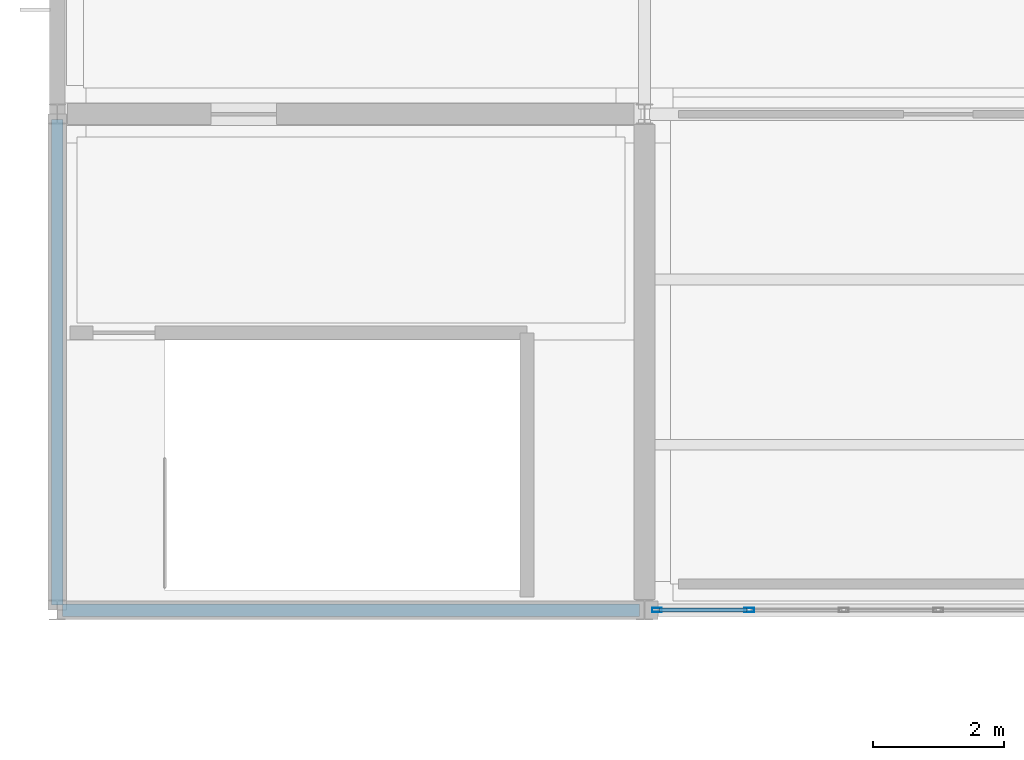
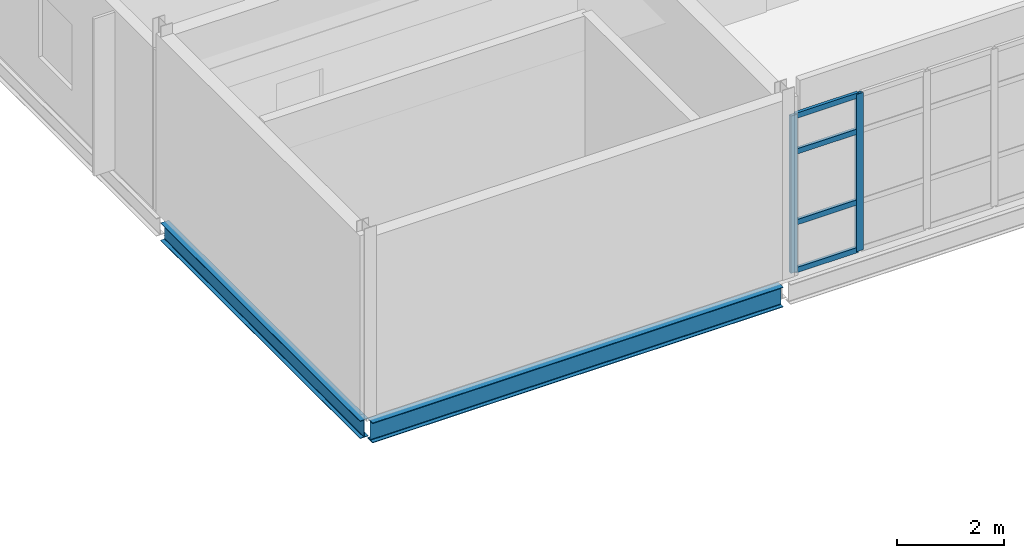
# One storey, part 64 of 174: 6 members, 2 beams, 1 element without a shape of its own.
"""IFC4 building model written with IfcOpenShell, lengths in metres."""

from ifc_helpers import new_model, si_unit, direction, frame, origin, origin_2d, place, context, subcontext, project, spatial, hollow_rectangle, i_section, extrude, material, material_profile, profile_set, type_object, element, aggregate, save


model = new_model("IFC4")

# Units and contexts
model_context = context("Model", 3, precision=1e-05, world=origin(), true_north=direction((0.0, 1.0)))
body_context = subcontext(model_context, "Body", "Model", "MODEL_VIEW")
ifc_project = project(units=[si_unit("LENGTHUNIT", "METRE"), si_unit("AREAUNIT", "SQUARE_METRE"), si_unit("VOLUMEUNIT", "CUBIC_METRE"), si_unit("PLANEANGLEUNIT", "RADIAN"), si_unit("MASSUNIT", "GRAM", prefix="KILO")], contexts=[model_context])

# Site, building, storey
site_placement = place(None, origin())
site = spatial("IfcSite", under=ifc_project, at=site_placement, CompositionType="ELEMENT")
building_placement = place(site_placement, origin())
building = spatial("IfcBuilding", under=site, at=building_placement, Name="Caisbarro Railhouse Central Library", CompositionType="ELEMENT")
storey_placement = place(building_placement, frame((0.0, 0.0, 5.0400390625)))
storey = spatial("IfcBuildingStorey", under=building, at=storey_placement, Name="L01", CompositionType="ELEMENT", Elevation=5.0400390625)

# Beams
ifc_material_1 = material(Name="Steel ASTM A572 Grade 50", Category="steel")
ifc_material_profile_1 = material_profile(ifc_material_1, i_section(OverallWidth=0.177978515625, OverallDepth=0.406982421875, WebThickness=0.0078125, FlangeThickness=0.0126953125, FilletRadius=0.01611328125, at=origin_2d()), Name="W410X60.0")
ifc_profile_set_1 = profile_set([ifc_material_profile_1], Name="Steel ASTM A572 Grade 50")
beam_type_1 = type_object("IfcBeamType", Name="BM-G10", PredefinedType="BEAM", material=ifc_profile_set_1)
beam_1_placement = place(storey_placement, frame((0.0, 83.679931640625, -0.403564453125), z_axis=(0.0, 1.0, 0.0), x_axis=(-1.0, 0.0, 0.0)))
element("IfcBeam", 1, at=beam_1_placement, inside=storey, type_object=beam_type_1, Name="G10 beam L01 #1024", PredefinedType="BEAM", context=body_context, shape_type="SweptSolid", body=[
    extrude(i_section(OverallWidth=0.177978515625, OverallDepth=0.406982421875, WebThickness=0.0078125, FlangeThickness=0.0126953125, FilletRadius=0.01611328125, at=origin_2d()), origin(), (0.0, 0.0, 1.0), 7.440185546875),
])
ifc_material_profile_2 = material_profile(ifc_material_1, i_section(OverallWidth=0.18994140625, OverallDepth=0.45703125, WebThickness=0.009033203125, FlangeThickness=0.014404296875, FilletRadius=0.01806640625, at=origin_2d()), Name="W460X74.0")
ifc_profile_set_2 = profile_set([ifc_material_profile_2], Name="Steel ASTM A572 Grade 50")
beam_type_2 = type_object("IfcBeamType", Name="BM-SP01", PredefinedType="SPANDREL", material=ifc_profile_set_2)
beam_2_placement = place(storey_placement, frame((0.080078125, 83.60009765625, -0.428466796875), z_axis=(1.0, 0.0, 0.0), x_axis=(0.0, 1.0, 0.0)))
element("IfcBeam", 2, at=beam_2_placement, inside=storey, type_object=beam_type_2, Name="SP01 beam L01 #1008", PredefinedType="SPANDREL", context=body_context, shape_type="SweptSolid", body=[
    extrude(i_section(OverallWidth=0.18994140625, OverallDepth=0.45703125, WebThickness=0.009033203125, FlangeThickness=0.014404296875, FilletRadius=0.01806640625, at=origin_2d()), origin(), (0.0, 0.0, 1.0), 8.83984375),
])

# Curtain wall, members
ifc_material_2 = material(Name="Anodised architectural aluminium", Category="aluminium")
curtain_wall_type = type_object("IfcCurtainWallType", Name="CW-CW02", PredefinedType="NOTDEFINED", material=ifc_material_2)
curtain_wall_placement = place(storey_placement, origin())
curtain_wall = element("IfcCurtainWall", 3, at=curtain_wall_placement, inside=storey, type_object=curtain_wall_type, Name="CW02 curtain wall L01 #80", PredefinedType="NOTDEFINED")
ifc_material_profile_3 = material_profile(ifc_material_2, hollow_rectangle(XDim=0.06494140625, YDim=0.14990234375, WallThickness=0.00390625, at=origin_2d()), Name="ALU-MUL-65X150")
ifc_profile_set_3 = profile_set([ifc_material_profile_3], Name="Anodised architectural aluminium")
member_type_1 = type_object("IfcMemberType", Name="CWM-M02", PredefinedType="MULLION", material=ifc_profile_set_3)
member_1_placement = place(storey_placement, frame((9.1923828125, 83.60009765625, 0.0), z_axis=(0.0, 0.0, 1.0), x_axis=(0.0, 1.0, 0.0)))
member_1 = element("IfcMember", 4, at=member_1_placement, type_object=member_type_1, Name="CW02 mullion 1", PredefinedType="MULLION", context=body_context, shape_type="SweptSolid", body=[
    extrude(hollow_rectangle(XDim=0.06494140625, YDim=0.14990234375, WallThickness=0.00390625, at=origin_2d()), origin(), (0.0, 0.0, 1.0), 3.580078125),
])
member_2_placement = place(storey_placement, frame((10.606689453125, 83.60009765625, 0.0), z_axis=(0.0, 0.0, 1.0), x_axis=(0.0, 1.0, 0.0)))
member_2 = element("IfcMember", 5, at=member_2_placement, type_object=member_type_1, Name="CW02 mullion 2", PredefinedType="MULLION", context=body_context, shape_type="SweptSolid", body=[
    extrude(hollow_rectangle(XDim=0.06494140625, YDim=0.14990234375, WallThickness=0.00390625, at=origin_2d()), origin(), (0.0, 0.0, 1.0), 3.580078125),
])
ifc_material_profile_4 = material_profile(ifc_material_2, hollow_rectangle(XDim=0.06494140625, YDim=0.1201171875, WallThickness=0.00341796875, at=origin_2d()), Name="ALU-TRN-65X120")
ifc_profile_set_4 = profile_set([ifc_material_profile_4], Name="Anodised architectural aluminium")
member_type_2 = type_object("IfcMemberType", Name="CWT-T02", PredefinedType="USERDEFINED", material=ifc_profile_set_4)
member_3_placement = place(storey_placement, frame((9.22509765625, 83.60009765625, 0.032470703125), z_axis=(1.0, 0.0, 0.0), x_axis=(0.0, 1.0, 0.0)))
member_3 = element("IfcMember", 6, at=member_3_placement, type_object=member_type_2, Name="CW02 transom 1.1", ObjectType="TRANSOM", PredefinedType="USERDEFINED", context=body_context, shape_type="SweptSolid", body=[
    extrude(hollow_rectangle(XDim=0.06494140625, YDim=0.1201171875, WallThickness=0.00341796875, at=origin_2d()), origin(), (0.0, 0.0, 1.0), 1.34912109375),
])
member_4_placement = place(storey_placement, frame((9.22509765625, 83.60009765625, 1.119873046875), z_axis=(1.0, 0.0, 0.0), x_axis=(0.0, 1.0, 0.0)))
member_4 = element("IfcMember", 7, at=member_4_placement, type_object=member_type_2, Name="CW02 transom 1.2", ObjectType="TRANSOM", PredefinedType="USERDEFINED", context=body_context, shape_type="SweptSolid", body=[
    extrude(hollow_rectangle(XDim=0.06494140625, YDim=0.1201171875, WallThickness=0.00341796875, at=origin_2d()), origin(), (0.0, 0.0, 1.0), 1.34912109375),
])
member_5_placement = place(storey_placement, frame((9.22509765625, 83.60009765625, 2.72998046875), z_axis=(1.0, 0.0, 0.0), x_axis=(0.0, 1.0, 0.0)))
member_5 = element("IfcMember", 8, at=member_5_placement, type_object=member_type_2, Name="CW02 transom 1.3", ObjectType="TRANSOM", PredefinedType="USERDEFINED", context=body_context, shape_type="SweptSolid", body=[
    extrude(hollow_rectangle(XDim=0.06494140625, YDim=0.1201171875, WallThickness=0.00341796875, at=origin_2d()), origin(), (0.0, 0.0, 1.0), 1.34912109375),
])
member_6_placement = place(storey_placement, frame((9.22509765625, 83.60009765625, 3.54736328125), z_axis=(1.0, 0.0, 0.0), x_axis=(0.0, 1.0, 0.0)))
member_6 = element("IfcMember", 9, at=member_6_placement, type_object=member_type_2, Name="CW02 transom 1.4", ObjectType="TRANSOM", PredefinedType="USERDEFINED", context=body_context, shape_type="SweptSolid", body=[
    extrude(hollow_rectangle(XDim=0.06494140625, YDim=0.1201171875, WallThickness=0.00341796875, at=origin_2d()), origin(), (0.0, 0.0, 1.0), 1.34912109375),
])
aggregate(curtain_wall, [member_1, member_2, member_3, member_4, member_5, member_6])

save(model, "model.ifc")
